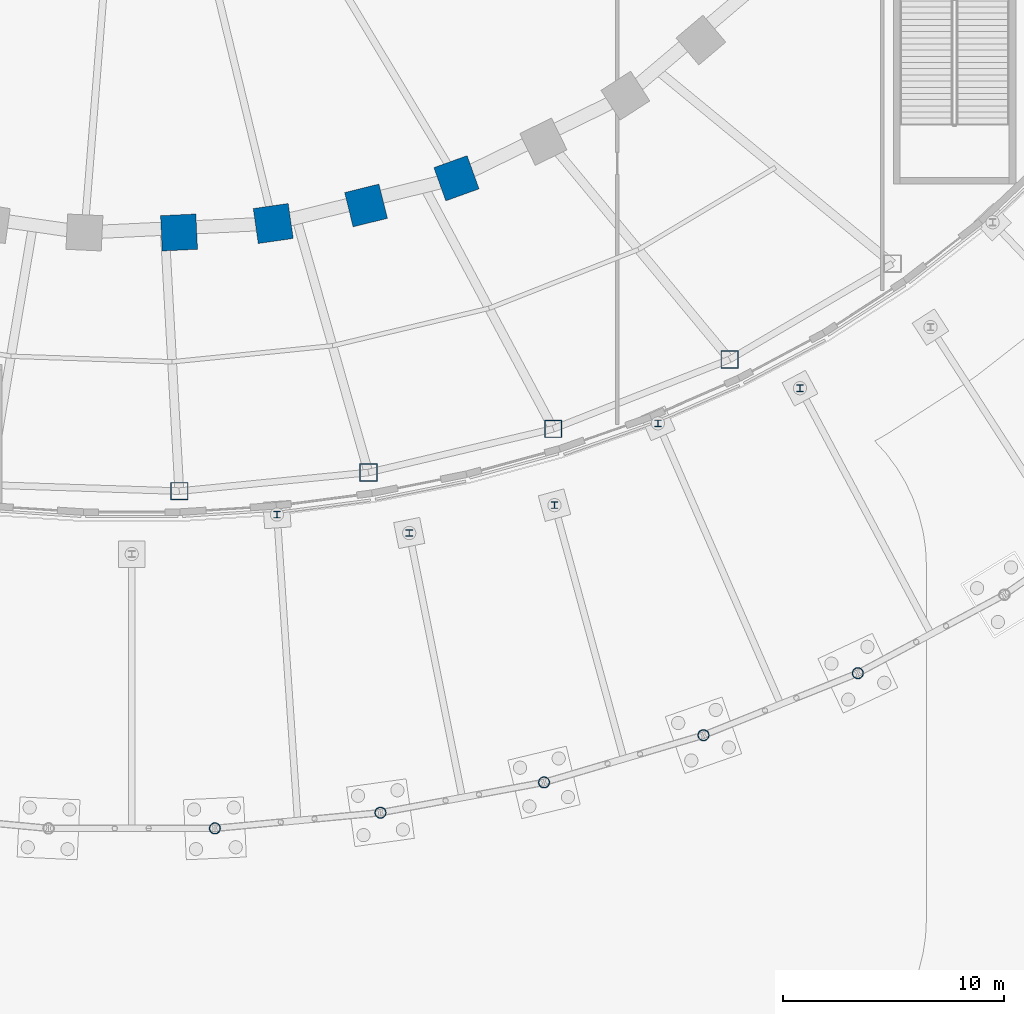
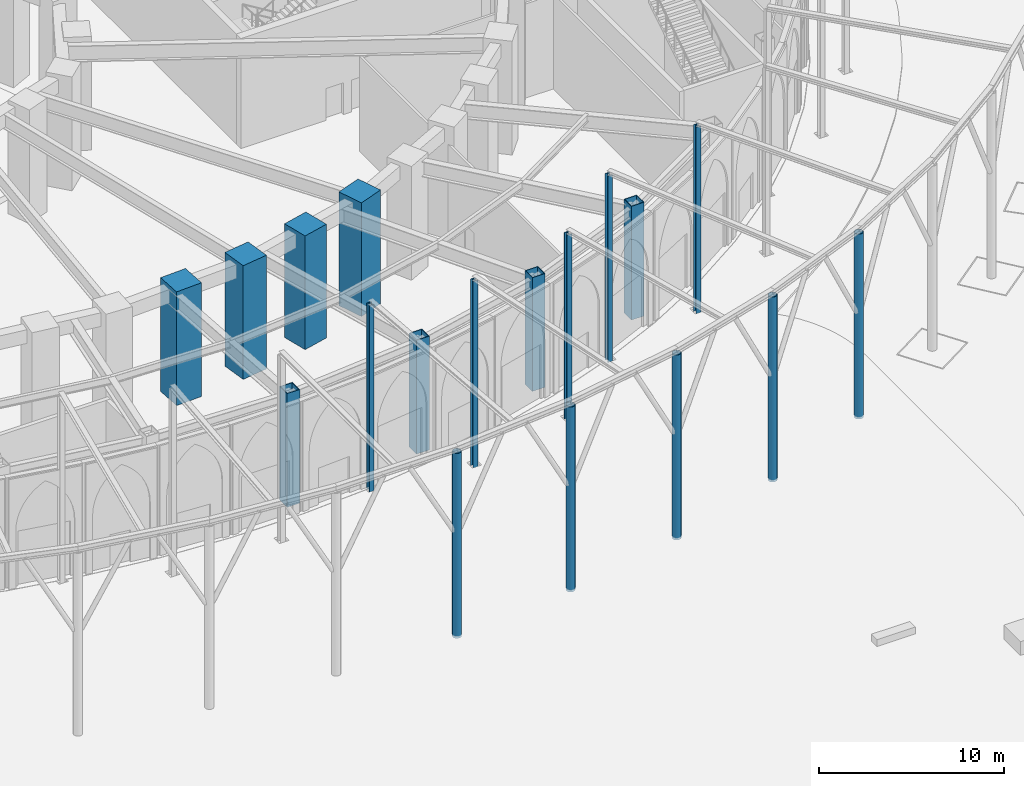
# One storey, part 13 of 79: 18 columns.
"""IFC4 building model written with IfcOpenShell, lengths in metres."""

from ifc_helpers import new_model, si_unit, direction, frame, origin, origin_2d, place, context, subcontext, project, spatial, rectangle, hollow_rectangle, hollow_circle, i_section, extrude, material, material_profile, profile_set, type_object, element, save


model = new_model("IFC4")

# Units and contexts
model_context = context("Model", 3, precision=1e-05, world=origin(), true_north=direction((0.0, 1.0)))
body_context = subcontext(model_context, "Body", "Model", "MODEL_VIEW")
ifc_project = project(units=[si_unit("LENGTHUNIT", "METRE"), si_unit("AREAUNIT", "SQUARE_METRE"), si_unit("VOLUMEUNIT", "CUBIC_METRE"), si_unit("PLANEANGLEUNIT", "RADIAN"), si_unit("MASSUNIT", "GRAM", prefix="KILO")], contexts=[model_context])

# Site, building, storey
site_placement = place(None, origin())
site = spatial("IfcSite", under=ifc_project, at=site_placement, CompositionType="ELEMENT")
building_placement = place(site_placement, origin())
building = spatial("IfcBuilding", under=site, at=building_placement, Name="Noorbagh Ring Tower", CompositionType="ELEMENT")
storey_placement = place(building_placement, origin())
storey = spatial("IfcBuildingStorey", under=building, at=storey_placement, Name="L00", CompositionType="ELEMENT", Elevation=0.0)

# Columns
ifc_material_1 = material(Name="Steel S355", Category="steel")
ifc_material_profile_1 = material_profile(ifc_material_1, hollow_circle(Radius=0.25390625, WallThickness=0.02490234375, at=origin_2d()), Name="CHS508x25")
ifc_profile_set_1 = profile_set([ifc_material_profile_1], Name="Steel S355")
column_type_1 = type_object("IfcColumnType", Name="GND-CANOPY-TRUNK", PredefinedType="COLUMN", material=ifc_profile_set_1)
for number, where, z_axis, x_axis, name in (
    (1, (3.76708984375, -53.8916015625, -0.14990234375), (0.0, 0.0, 1.0), (1.0, 0.0, 0.0), "Canopy trunk 11"),
    (2, (11.268310546875, -53.18212890625, -0.14990234375), (0.0, 0.0, 1.0), (1.0, 0.0, 0.0), "Canopy trunk 12"),
    (3, (18.676513671875, -51.80859375, -0.14990234375), (0.0, 0.0, 1.0), (1.0, 0.0, 0.0), "Canopy trunk 13"),
    (4, (25.90087890625, -49.67138671875, -0.14990234375), (0.0, 0.0, 1.0), (1.0, 0.0, 0.0), "Canopy trunk 14"),
    (5, (32.891845703125, -46.863037109375, -0.14990234375), (0.0, 0.0, 1.0), (1.0, 0.0, 0.0), "Canopy trunk 15"),
):
    element("IfcColumn", number, at=place(storey_placement, frame(where, z_axis=z_axis, x_axis=x_axis)), inside=storey, type_object=column_type_1, Name=name, PredefinedType="COLUMN", context=body_context, shape_type="SweptSolid", body=[
        extrude(hollow_circle(Radius=0.25390625, WallThickness=0.02490234375, at=origin_2d()), origin(), (0.0, 0.0, 1.0), 12.199951171875),
    ])
ifc_material_2 = material(Name="Steel S355", Category="steel")
ifc_material_profile_2 = material_profile(ifc_material_2, hollow_rectangle(XDim=0.800048828125, YDim=0.800048828125, WallThickness=0.0400390625, at=origin_2d()), Name="BOX800x800x40")
ifc_profile_set_2 = profile_set([ifc_material_profile_2], Name="Steel S355")
column_type_2 = type_object("IfcColumnType", Name="GND-COL-BOX800x800x40", PredefinedType="COLUMN", material=ifc_profile_set_2)
for number, where, z_axis, x_axis, name in (
    (6, (2.154541015625, -38.6142578125, 0.0), (0.0, 0.0, 1.0), (1.0, 0.0, 0.0), "L00/col/RP-26"),
    (7, (10.724609375, -37.771240234375, 0.0), (0.0, 0.0, 1.0), (1.0, 0.0, 0.0), "L00/col/RP-27"),
    (8, (19.0966796875, -35.791748046875, 0.0), (0.0, 0.0, 1.0), (1.0, 0.0, 0.0), "L00/col/RP-28"),
    (9, (27.0869140625, -32.648193359375, 0.0), (0.0, 0.0, 1.0), (1.0, 0.0, 0.0), "L00/col/RP-29"),
):
    element("IfcColumn", number, at=place(storey_placement, frame(where, z_axis=z_axis, x_axis=x_axis)), inside=storey, type_object=column_type_2, Name=name, PredefinedType="COLUMN", context=body_context, shape_type="SweptSolid", body=[
        extrude(hollow_rectangle(XDim=0.800048828125, YDim=0.800048828125, WallThickness=0.0400390625, at=origin_2d()), origin(), (0.0, 0.0, 1.0), 7.5),
    ])
ifc_material_3 = material(Name="Steel S355", Category="steel")
ifc_material_profile_3 = material_profile(ifc_material_3, i_section(OverallWidth=0.300048828125, OverallDepth=0.300048828125, WebThickness=0.010986328125, FlangeThickness=0.01904296875, FilletRadius=0.027099609375, at=origin_2d()), Name="HEB300")
ifc_profile_set_3 = profile_set([ifc_material_profile_3], Name="Steel S355")
column_type_3 = type_object("IfcColumnType", Name="GND-LINK-POST", PredefinedType="COLUMN", material=ifc_profile_set_3)
for number, where, z_axis, x_axis, name in (
    (10, (6.57861328125, -39.67822265625, -0.14990234375), (0.0, 0.0, 1.0), (1.0, 0.0, 0.0), "Canopy link post 11"),
    (11, (12.570068359375, -40.511962890625, -0.14990234375), (0.0, 0.0, 1.0), (1.0, 0.0, 0.0), "Canopy link post 12"),
    (12, (19.1513671875, -39.24951171875, -0.14990234375), (0.0, 0.0, 1.0), (1.0, 0.0, 0.0), "Canopy link post 13"),
    (13, (23.83544921875, -35.54248046875, -0.14990234375), (0.0, 0.0, 1.0), (1.0, 0.0, 0.0), "Canopy link post 14"),
    (14, (30.27001953125, -33.952880859375, -0.14990234375), (0.0, 0.0, 1.0), (1.0, 0.0, 0.0), "Canopy link post 15"),
):
    element("IfcColumn", number, at=place(storey_placement, frame(where, z_axis=z_axis, x_axis=x_axis)), inside=storey, type_object=column_type_3, Name=name, PredefinedType="COLUMN", context=body_context, shape_type="SweptSolid", body=[
        extrude(i_section(OverallWidth=0.300048828125, OverallDepth=0.300048828125, WebThickness=0.010986328125, FlangeThickness=0.01904296875, FilletRadius=0.027099609375, at=origin_2d()), origin(), (0.0, 0.0, 1.0), 12.2998046875),
    ])
ifc_material_4 = material(Name="Concrete C70/85", Category="concrete")
ifc_material_profile_4 = material_profile(ifc_material_4, rectangle(XDim=1.60009765625, YDim=1.60009765625, at=origin_2d()), Name="RC1600x1600")
ifc_profile_set_4 = profile_set([ifc_material_profile_4], Name="Concrete C70/85")
column_type_4 = type_object("IfcColumnType", Name="STR-COL-RC1600x1600-C70-85", PredefinedType="COLUMN", material=ifc_profile_set_4)
for number, where, z_axis, x_axis, name in (
    (15, (2.14306640625, -26.89794921875, 0.0), (0.0, 0.0, 1.0), (0.998868731212, 0.047552684538, 0.0), "L00/col/R1-36"),
    (16, (6.4091796875, -26.49072265625, 0.0), (0.0, 0.0, 1.0), (0.989713114048, 0.143066249975, 0.0), "L00/col/R1-37"),
    (17, (10.61328125, -25.673583984375, 0.0), (0.0, 0.0, 1.0), (0.970829360981, 0.239771457553, 0.0), "L00/col/R1-38"),
    (18, (14.70947265625, -24.44091796875, 0.0), (0.0, 0.0, 1.0), (0.941024726094, 0.338337797003, 0.0), "L00/col/R1-39"),
):
    element("IfcColumn", number, at=place(storey_placement, frame(where, z_axis=z_axis, x_axis=x_axis)), inside=storey, type_object=column_type_4, Name=name, PredefinedType="COLUMN", context=body_context, shape_type="SweptSolid", body=[
        extrude(rectangle(XDim=1.60009765625, YDim=1.60009765625, at=origin_2d()), origin(), (0.0, 0.0, 1.0), 7.5),
    ])

save(model, "model.ifc")
